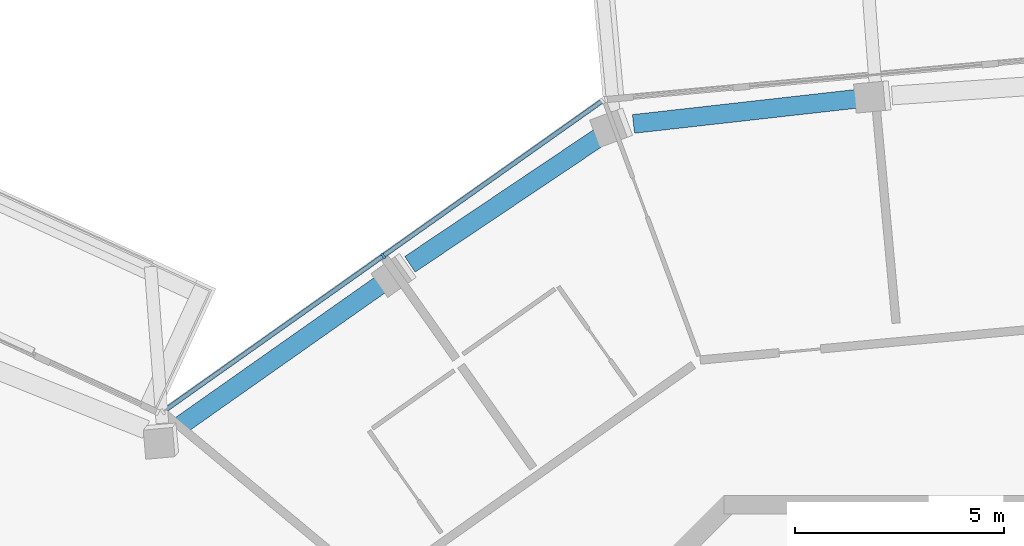
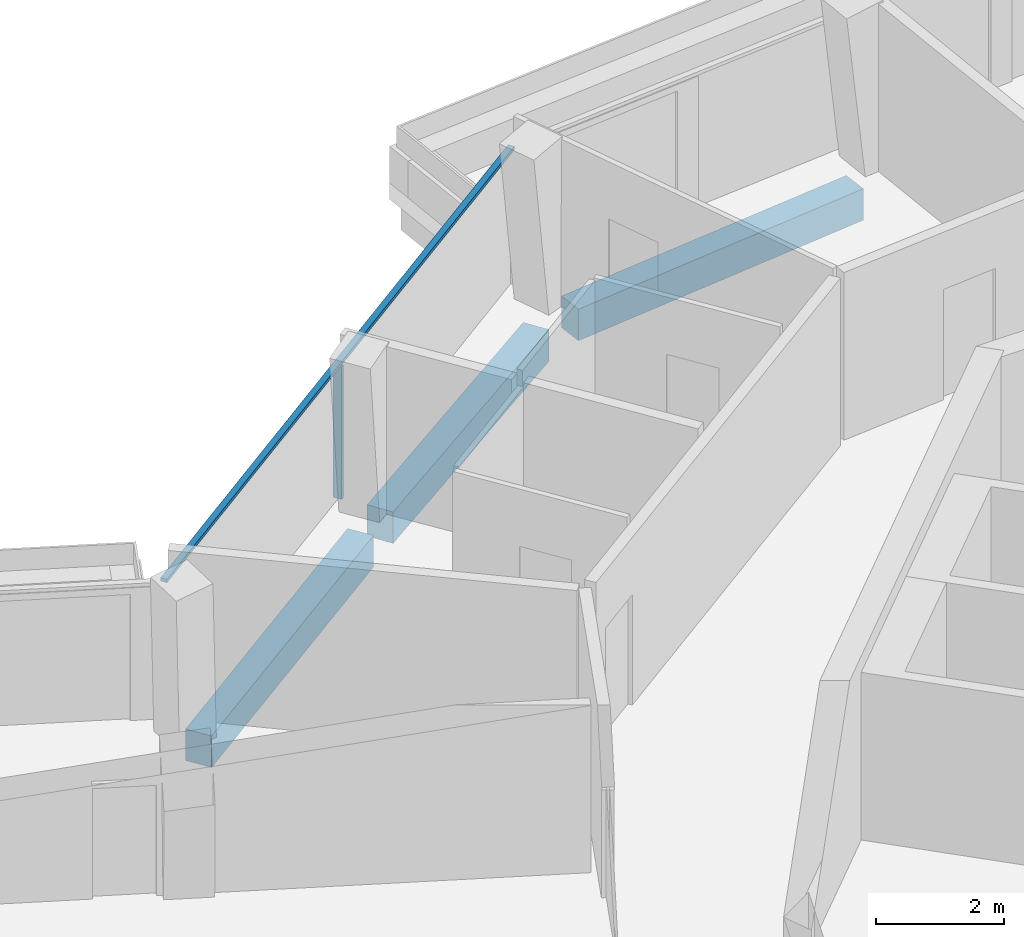
# One storey, part 6 of 25: 3 beams, 2 members, 1 element without a shape of its own.
"""IFC4 building model written with IfcOpenShell, lengths in metres."""

from ifc_helpers import new_model, si_unit, direction, frame, origin, origin_2d, place, context, subcontext, project, spatial, rectangle, extrude, material, layer, layer_set, material_profile, profile_set, type_object, element, aggregate, save


model = new_model("IFC4")

# Units and contexts
model_context = context("Model", 3, precision=1e-05, world=origin(), true_north=direction((0.0, 1.0)))
body_context = subcontext(model_context, "Body", "Model", "MODEL_VIEW")
ifc_project = project(units=[si_unit("LENGTHUNIT", "METRE"), si_unit("AREAUNIT", "SQUARE_METRE"), si_unit("VOLUMEUNIT", "CUBIC_METRE"), si_unit("PLANEANGLEUNIT", "RADIAN"), si_unit("MASSUNIT", "GRAM", prefix="KILO")], contexts=[model_context])

# Site, building, storey
site_placement = place(None, origin())
site = spatial("IfcSite", under=ifc_project, at=site_placement, CompositionType="ELEMENT")
building_placement = place(site_placement, origin())
building = spatial("IfcBuilding", under=site, at=building_placement, Name="Verdalira Terraces Hotel", CompositionType="ELEMENT")
storey_placement = place(building_placement, frame((0.0, 0.0, 299.5)))
storey = spatial("IfcBuildingStorey", under=building, at=storey_placement, Name="L74", CompositionType="ELEMENT", Elevation=299.5)

# Curtain wall, members
ifc_material_1 = material(Name="Clear glass", Category="glass")
ifc_layer = layer(ifc_material_1, 0.14990234375)
ifc_layer_set = layer_set([ifc_layer], Name="CW1 curtain wall")
curtain_wall_type = type_object("IfcCurtainWallType", Name="CW1 curtain wall", PredefinedType="NOTDEFINED", material=ifc_layer_set)
curtain_wall_placement = place(storey_placement, origin())
curtain_wall = element("IfcCurtainWall", 1, at=curtain_wall_placement, inside=storey, type_object=curtain_wall_type, Name="CW1 curtain wall L74 edge 41", PredefinedType="NOTDEFINED")
ifc_material_2 = material(Name="Terracotta frame", Category="masonry")
ifc_material_profile_1 = material_profile(ifc_material_2, rectangle(XDim=0.060059, YDim=0.149902, at=origin_2d()), Name="MU 60x150")
ifc_profile_set_1 = profile_set([ifc_material_profile_1], Name="Terracotta frame")
member_type_1 = type_object("IfcMemberType", Name="CW1 mullion 60x150", PredefinedType="MULLION", material=ifc_profile_set_1)
member_1_placement = place(storey_placement, frame((-13.967529, 19.741699, 0.0), z_axis=(0.0, 0.0, 1.0), x_axis=(-0.816339251, -0.577572703, 0.0)))
member_1 = element("IfcMember", 2, at=member_1_placement, type_object=member_type_1, Name="CW1 mullion", PredefinedType="MULLION", context=body_context, shape_type="SweptSolid", body=[
    extrude(rectangle(XDim=0.060059, YDim=0.149902, at=origin_2d()), origin(), (0.0, 0.0, 1.0), 2.524902),
])
ifc_material_3 = material(Name="Terracotta frame", Category="masonry")
ifc_material_profile_2 = material_profile(ifc_material_3, rectangle(XDim=0.110107, YDim=0.064941, at=origin_2d()), Name="TR 65x110")
ifc_profile_set_2 = profile_set([ifc_material_profile_2], Name="Terracotta frame")
member_type_2 = type_object("IfcMemberType", Name="CW1 transom 65x110", PredefinedType="USERDEFINED", material=ifc_profile_set_2)
member_2_placement = place(storey_placement, frame((-8.694336, 23.4729, 2.557617), z_axis=(-0.816334617, -0.577579253, 0.0), x_axis=(0.577579253, -0.816334617, 0.0)))
member_2 = element("IfcMember", 3, at=member_2_placement, type_object=member_type_2, Name="CW1 transom", ObjectType="TRANSOM", PredefinedType="USERDEFINED", context=body_context, shape_type="SweptSolid", body=[
    extrude(rectangle(XDim=0.110107, YDim=0.064941, at=origin_2d()), origin(), (0.0, 0.0, 1.0), 12.959961),
])
aggregate(curtain_wall, [member_1, member_2])

# Beams
ifc_material_4 = material(Name="Concrete C40", Category="concrete")
ifc_material_profile_3 = material_profile(ifc_material_4, rectangle(XDim=0.449951, YDim=0.600098, at=origin_2d()), Name="RC 450X600")
ifc_profile_set_3 = profile_set([ifc_material_profile_3], Name="Concrete C40")
beam_type = type_object("IfcBeamType", Name="Spandrel beam RC 450X600 C40", PredefinedType="SPANDREL", material=ifc_profile_set_3)
beam_1_placement = place(storey_placement, frame((-2.483887, 23.521973, -0.610107), z_axis=(-0.993722532, -0.111872825, 0.0), x_axis=(0.111872825, -0.993722532, 0.0)))
element("IfcBeam", 4, at=beam_1_placement, inside=storey, type_object=beam_type, Name="Spandrel beam B27", PredefinedType="SPANDREL", context=body_context, shape_type="SweptSolid", body=[
    extrude(rectangle(XDim=0.449951, YDim=0.600098, at=origin_2d()), origin(), (0.0, 0.0, 1.0), 5.52124),
])
beam_2_placement = place(storey_placement, frame((-8.741455, 22.619385, -0.610107), z_axis=(-0.830243923, -0.55740024, 0.0), x_axis=(0.55740024, -0.830243923, 0.0)))
element("IfcBeam", 5, at=beam_2_placement, inside=storey, type_object=beam_type, Name="Spandrel beam B28", PredefinedType="SPANDREL", context=body_context, shape_type="SweptSolid", body=[
    extrude(rectangle(XDim=0.449951, YDim=0.600098, at=origin_2d()), origin(), (0.0, 0.0, 1.0), 5.523682),
])
beam_3_placement = place(storey_placement, frame((-13.910645, 19.139404, -0.610107), z_axis=(-0.817652763, -0.575711698, 0.0), x_axis=(0.575711698, -0.817652763, 0.0)))
element("IfcBeam", 6, at=beam_3_placement, inside=storey, type_object=beam_type, Name="Spandrel beam B29", PredefinedType="SPANDREL", context=body_context, shape_type="SweptSolid", body=[
    extrude(rectangle(XDim=0.449951, YDim=0.600098, at=origin_2d()), origin(), (0.0, 0.0, 1.0), 6.01123),
])

save(model, "model.ifc")
